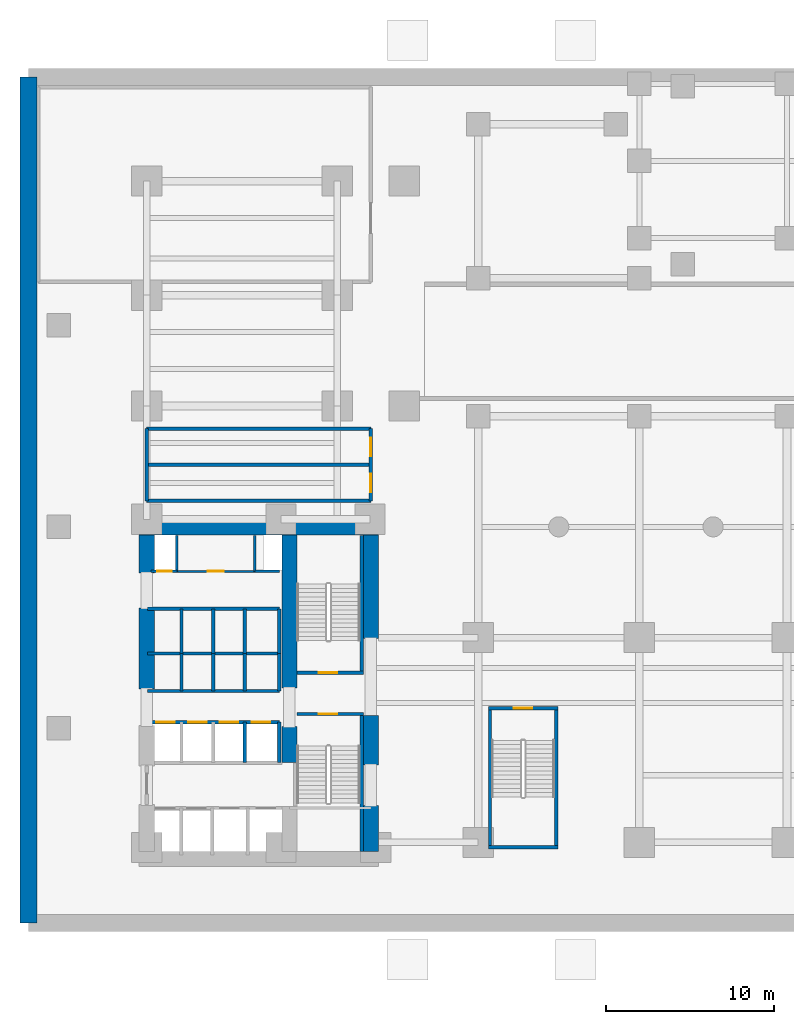
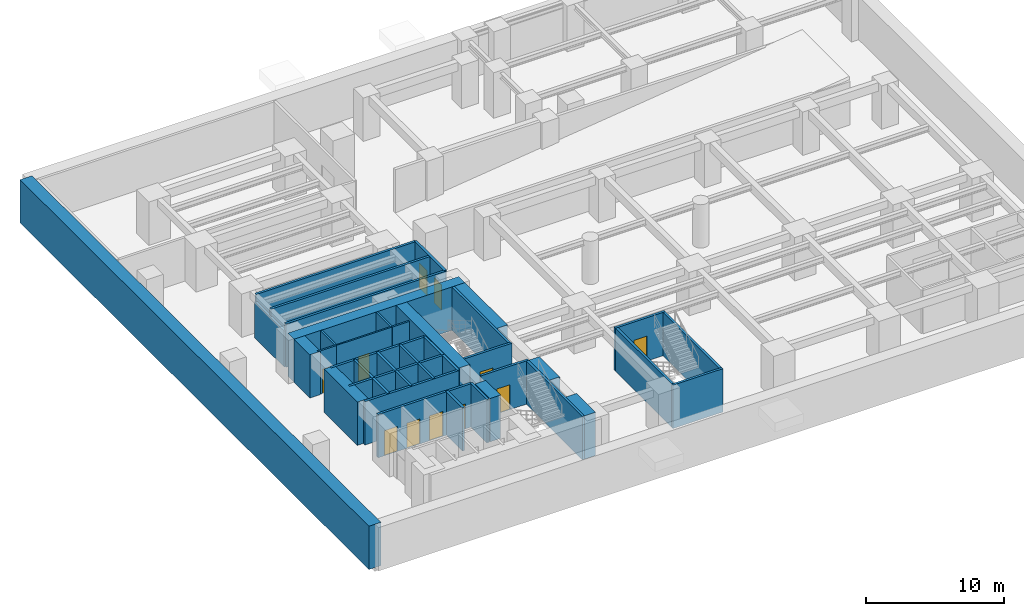
# One storey, part 3 of 5: 41 walls, 11 doors, 11 openings.
"""IFC4 building model written with IfcOpenShell, lengths in metres."""

import ifcopenshell
import ifcopenshell.guid

model = None  # the IFC model being written
_history = None  # IfcOwnerHistory: only IFC2X3 demands one
_inside = {}  # id of a spatial element -> (the spatial element, [elements in it])
_under = {}  # id of a project, library or spatial element -> (it, [spatial elements below it])
_declared = {}  # id of a project -> (the project, [libraries it declares])
_typed = {}  # id of a type object -> (the type object, [elements of that type])
_made_of = {}  # id of a material, layer set ... -> (it, [elements and type objects made of it])


def new_model(schema):
    """Start an empty IFC model of exactly this schema.

    Asked for "IFC4X3", IfcOpenShell would pick the latest addendum, in which some entities
    have other attributes; the version numbers below select the first issue.
    IFC2X3 requires an IfcOwnerHistory on every rooted entity: one is made here for all.
    """
    global model, _history
    if schema == "IFC4X3":
        model = ifcopenshell.file(schema_version=(4, 3, 0, 0))
    else:
        model = ifcopenshell.file(schema=schema)
    _inside.clear()
    _under.clear()
    _declared.clear()
    _typed.clear()
    _made_of.clear()
    _history = None
    if model.schema == "IFC2X3":
        org = make("IfcOrganization", Name="unknown")
        user = make(
            "IfcPersonAndOrganization",
            ThePerson=make("IfcPerson", FamilyName="unknown"),
            TheOrganization=org,
        )
        app = make(
            "IfcApplication",
            ApplicationDeveloper=org,
            Version="unknown",
            ApplicationFullName="unknown",
            ApplicationIdentifier="unknown",
        )
        _history = make(
            "IfcOwnerHistory",
            OwningUser=user,
            OwningApplication=app,
            ChangeAction="ADDED",
            CreationDate=0,
        )
    return model


def make(cls, **values):
    """One entity of the class cls with the attributes given. An attribute that is None is left unset."""
    return model.create_entity(
        cls, **{name: value for name, value in values.items() if value is not None}
    )


def rooted(cls, **values):
    """An entity with a GlobalId (a new one), such as an element, a storey or a relation."""
    return make(cls, GlobalId=ifcopenshell.guid.new(), OwnerHistory=_history, **values)


def si_unit(unit_type, name, prefix=None):
    """IfcSIUnit, for example si_unit("LENGTHUNIT", "METRE", prefix="MILLI")."""
    return make("IfcSIUnit", UnitType=unit_type, Prefix=prefix, Name=name)


def assignment(units):
    """IfcUnitAssignment: the units of a project."""
    return None if units is None else make("IfcUnitAssignment", Units=units)


def point(xyz):
    """IfcCartesianPoint."""
    return None if xyz is None else make("IfcCartesianPoint", Coordinates=xyz)


def direction(xyz):
    """IfcDirection."""
    return None if xyz is None else make("IfcDirection", DirectionRatios=xyz)


def frame(location, z_axis=None, x_axis=None):
    """IfcAxis2Placement3D, a coordinate frame: its origin and axes. An axis left out is left unset."""
    return make(
        "IfcAxis2Placement3D",
        Location=point(location),
        Axis=direction(z_axis),
        RefDirection=direction(x_axis),
    )


def frame_2d(location, x_axis=None):
    """IfcAxis2Placement2D, a coordinate frame in the plane: its origin and x axis."""
    return make(
        "IfcAxis2Placement2D", Location=point(location), RefDirection=direction(x_axis)
    )


def origin():
    """The frame at (0, 0, 0) with its axes left unset."""
    return frame((0.0, 0.0, 0.0))


def place(relative_to, where):
    """IfcLocalPlacement: puts the frame where relative to a parent placement (None: the world)."""
    return make(
        "IfcLocalPlacement", PlacementRelTo=relative_to, RelativePlacement=where
    )


def context(
    kind, dimensions, precision=None, world=None, true_north=None, identifier=None
):
    """IfcGeometricRepresentationContext, for example the 3D "Model" context."""
    return make(
        "IfcGeometricRepresentationContext",
        ContextIdentifier=identifier,
        ContextType=kind,
        CoordinateSpaceDimension=dimensions,
        Precision=precision,
        WorldCoordinateSystem=world,
        TrueNorth=true_north,
    )


def subcontext(parent, identifier, kind, view, scale=None):
    """IfcGeometricRepresentationSubContext, for example "Body" below "Model"."""
    return make(
        "IfcGeometricRepresentationSubContext",
        ContextIdentifier=identifier,
        ContextType=kind,
        ParentContext=parent,
        TargetScale=scale,
        TargetView=view,
    )


def project(units=None, contexts=None):
    """IfcProject with its units and contexts."""
    return rooted(
        "IfcProject",
        Name="project",
        RepresentationContexts=contexts,
        UnitsInContext=assignment(units),
    )


def spatial(cls, under=None, at=None, **own):
    """A site, building, storey or space (cls), placed at a placement, below another one or the project."""
    s = rooted(cls, ObjectPlacement=at, **own)
    if under is not None:
        _under.setdefault(under.id(), (under, []))[1].append(s)
    return s


def profile(cls, at=None, kind="AREA", **sizes):
    """A parametric profile (cls). Its sizes go by their IFC names, for example OverallWidth=200.0."""
    return make(cls, ProfileType=kind, Position=at, **sizes)


def rectangle(**sizes):
    """IfcRectangleProfileDef."""
    return profile("IfcRectangleProfileDef", **sizes)


def extrude(swept, where, along, depth):
    """IfcExtrudedAreaSolid: the profile swept, set in the frame where, extruded along a direction by depth."""
    return make(
        "IfcExtrudedAreaSolid",
        SweptArea=swept,
        Position=where,
        ExtrudedDirection=direction(along),
        Depth=depth,
    )


def shape(context_of_items, identifier, shape_type, items):
    """IfcShapeRepresentation: the items that make up one representation, for example the "Body"."""
    return make(
        "IfcShapeRepresentation",
        ContextOfItems=context_of_items,
        RepresentationIdentifier=identifier,
        RepresentationType=shape_type,
        Items=items,
    )


def material(Name=None, Category=None):
    """IfcMaterial."""
    return make("IfcMaterial", Name=Name, Category=Category)


def layer(
    of_material, thickness, ventilated=None, Name=None, Category=None, Priority=None
):
    """IfcMaterialLayer: one layer of a wall or slab, of a material (None: an air gap)."""
    return make(
        "IfcMaterialLayer",
        Material=of_material,
        LayerThickness=thickness,
        IsVentilated=ventilated,
        Name=Name,
        Category=Category,
        Priority=Priority,
    )


def layer_set(layers, Name=None):
    """IfcMaterialLayerSet."""
    return make("IfcMaterialLayerSet", MaterialLayers=layers, LayerSetName=Name)


def made_of(thing, what):
    """Note that an element or type object is made of a material, layer set ...; save() writes the relation."""
    if what is not None:
        _made_of.setdefault(what.id(), (what, []))[1].append(thing)
    return thing


def type_object(cls, material=None, **own):
    """A type object (cls), such as IfcWallType, which elements share."""
    return made_of(rooted(cls, **own), material)


def element(
    cls,
    number,
    at=None,
    inside=None,
    cuts=None,
    type_object=None,
    material=None,
    context=None,
    identifier="Body",
    shape_type=None,
    held_by="IfcProductDefinitionShape",
    body=None,
    shapes=None,
    **own,
):
    """One element of the class cls, such as IfcWall. Its Tag is "e" and its number.

    at: its placement. inside: the storey or other place that contains it. cuts: it is an
    opening in that element (IfcRelVoidsElement). A single representation is given by context,
    identifier, shape_type and body (its items); several are given by shapes. held_by: the class
    of the entity that holds the representations. save() writes the other relations.
    """
    e = rooted(cls, Tag="e%d" % number, ObjectPlacement=at, **own)
    if body is not None:
        shapes = [shape(context, identifier, shape_type, body)]
    if shapes is not None:
        e.Representation = make(held_by, Representations=shapes)
    if inside is not None:
        _inside.setdefault(inside.id(), (inside, []))[1].append(e)
    if cuts is not None:
        rooted(
            "IfcRelVoidsElement", RelatingBuildingElement=cuts, RelatedOpeningElement=e
        )
    if type_object is not None:
        _typed.setdefault(type_object.id(), (type_object, []))[1].append(e)
    return made_of(e, material)


def fill(opening, filler):
    """IfcRelFillsElement: the door or window that sits in an opening."""
    return rooted(
        "IfcRelFillsElement",
        RelatingOpeningElement=opening,
        RelatedBuildingElement=filler,
    )


def aggregate(whole, parts):
    """IfcRelAggregates: a whole, such as a stair, and the parts it consists of."""
    return rooted("IfcRelAggregates", RelatingObject=whole, RelatedObjects=parts)


def save(model, path):
    """Write the relations noted so far, then the file.

    IfcRelAggregates (storeys below a building ...), IfcRelContainedInSpatialStructure (elements
    in a storey), IfcRelDefinesByType, IfcRelAssociatesMaterial and IfcRelDeclares: one each for
    every whole, place, type object, material and project.
    """
    for whole, parts in _under.values():
        aggregate(whole, parts)
    for where, things in _inside.values():
        rooted(
            "IfcRelContainedInSpatialStructure",
            RelatedElements=things,
            RelatingStructure=where,
        )
    for kind, things in _typed.values():
        rooted("IfcRelDefinesByType", RelatedObjects=things, RelatingType=kind)
    for what, things in _made_of.values():
        rooted("IfcRelAssociatesMaterial", RelatedObjects=things, RelatingMaterial=what)
    for by, libraries in _declared.values():
        rooted("IfcRelDeclares", RelatingContext=by, RelatedDefinitions=libraries)
    model.write(path)


model = new_model("IFC4")

# Units and contexts
model_context = context("Model", 3, precision=1e-05, world=origin(), true_north=direction((0.0, 1.0)))
body_context = subcontext(model_context, "Body", "Model", "MODEL_VIEW")
ifc_project = project(units=[si_unit("LENGTHUNIT", "METRE"), si_unit("AREAUNIT", "SQUARE_METRE"), si_unit("VOLUMEUNIT", "CUBIC_METRE"), si_unit("PLANEANGLEUNIT", "RADIAN"), si_unit("MASSUNIT", "GRAM", prefix="KILO")], contexts=[model_context])

# Site, building, storey
site_placement = place(None, origin())
site = spatial("IfcSite", under=ifc_project, at=site_placement, CompositionType="ELEMENT")
building_placement = place(site_placement, origin())
building = spatial("IfcBuilding", under=site, at=building_placement, Name="Kolvaren Waterfront Exchange", CompositionType="ELEMENT")
storey_placement = place(building_placement, frame((0.0, 0.0, -4.199951171875)))
storey = spatial("IfcBuildingStorey", under=building, at=storey_placement, Name="B01", CompositionType="ELEMENT", Elevation=-4.199951171875)

# Wall, opening, door
ifc_material_1 = material(Name="Precast concrete C40/50", Category="concrete")
ifc_layer_1 = layer(ifc_material_1, 0.199951171875, Name="Precast concrete C40/50")
ifc_layer_set_1 = layer_set([ifc_layer_1], Name="Precast concrete C40/50")
wall_type_1 = type_object("IfcWallType", Name="ARC-FIRE-200", PredefinedType="PARTITIONING", material=ifc_layer_set_1)
wall_1_placement = place(storey_placement, frame((16.39990234375, 12.85009765625, 0.0), z_axis=(0.0, 0.0, 1.0), x_axis=(1.0, 0.0, 0.0)))
wall_1 = element("IfcWall", 1, at=wall_1_placement, inside=storey, type_object=wall_type_1, Name="B01 interior wall PW-B01-ST1-THROAT-S", PredefinedType="PARTITIONING", context=body_context, shape_type="SweptSolid", body=[
    extrude(rectangle(XDim=3.960205078125, YDim=0.199951171875, at=frame_2d((1.97998046875, 0.0))), origin(), (0.0, 0.0, 1.0), 3.820068359375),
])
opening_1_placement = place(wall_1_placement, frame((1.3037109375, 0.0, 0.0)))
opening_1 = element("IfcOpeningElement", 2, at=opening_1_placement, cuts=wall_1, Name="Opening FD2", PredefinedType="OPENING", context=body_context, shape_type="SweptSolid", body=[
    extrude(rectangle(XDim=1.10009765625, YDim=2.199951171875, at=frame_2d((0.550048828125, 1.10009765625))), frame((0.0, 0.10986328125, 0.0), z_axis=(0.0, -1.0, 0.0), x_axis=(1.0, 0.0, 0.0)), (0.0, 0.0, 1.0), 0.219970703125),
])
ifc_material_2 = material(Name="Pressed steel smoke-seal fire door", Category="steel")
door_type_1 = type_object("IfcDoorType", Name="ARC-FD-1100", OperationType="NOTDEFINED", PredefinedType="DOOR", material=ifc_material_2)
door_1_placement = place(opening_1_placement, frame((1.10009765625, 0.0, 0.0), z_axis=(0.0, 0.0, 1.0), x_axis=(-1.0, 0.0, 0.0)))
door_1 = element("IfcDoor", 3, at=door_1_placement, inside=storey, type_object=door_type_1, Name="B01 door DR-B01-ST1-IN (FD2)", OperationType="SINGLE_SWING_LEFT", OverallHeight=2.199951171875, OverallWidth=1.10009765625, PredefinedType="DOOR", context=body_context, shape_type="SweptSolid", body=[
    extrude(rectangle(XDim=1.10009765625, YDim=2.199951171875, at=frame_2d((0.550048828125, 1.10009765625))), frame((0.0, 0.02490234375, 0.0), z_axis=(0.0, -1.0, 0.0), x_axis=(1.0, 0.0, 0.0)), (0.0, 0.0, 1.0), 0.050048828125),
])
fill(opening_1, door_1)

wall_2_placement = place(storey_placement, frame((16.409912109375, 15.300048828125, 0.0), z_axis=(0.0, 0.0, 1.0), x_axis=(1.0, 0.0, 0.0)))
wall_2 = element("IfcWall", 4, at=wall_2_placement, inside=storey, type_object=wall_type_1, Name="B01 interior wall PW-B01-ST2-THROAT-N", PredefinedType="PARTITIONING", context=body_context, shape_type="SweptSolid", body=[
    extrude(rectangle(XDim=3.9501953125, YDim=0.199951171875, at=frame_2d((1.97509765625, 0.0))), origin(), (0.0, 0.0, 1.0), 3.820068359375),
])
opening_2_placement = place(wall_2_placement, frame((1.293701171875, 0.0, 0.0)))
opening_2 = element("IfcOpeningElement", 5, at=opening_2_placement, cuts=wall_2, Name="Opening FD2", PredefinedType="OPENING", context=body_context, shape_type="SweptSolid", body=[
    extrude(rectangle(XDim=1.10009765625, YDim=2.199951171875, at=frame_2d((0.550048828125, 1.10009765625))), frame((0.0, 0.10986328125, 0.0), z_axis=(0.0, -1.0, 0.0), x_axis=(1.0, 0.0, 0.0)), (0.0, 0.0, 1.0), 0.219970703125),
])
door_2_placement = place(opening_2_placement, origin())
door_2 = element("IfcDoor", 6, at=door_2_placement, inside=storey, type_object=door_type_1, Name="B01 door DR-B01-ST2-IN (FD2)", OperationType="SINGLE_SWING_RIGHT", OverallHeight=2.199951171875, OverallWidth=1.10009765625, PredefinedType="DOOR", context=body_context, shape_type="SweptSolid", body=[
    extrude(rectangle(XDim=1.10009765625, YDim=2.199951171875, at=frame_2d((0.550048828125, 1.10009765625))), frame((0.0, 0.02490234375, 0.0), z_axis=(0.0, -1.0, 0.0), x_axis=(1.0, 0.0, 0.0)), (0.0, 0.0, 1.0), 0.050048828125),
])
fill(opening_2, door_2)

# Wall, openings, doors
wall_3_placement = place(storey_placement, frame((20.800048828125, 25.550048828125, 0.0), z_axis=(0.0, 0.0, 1.0), x_axis=(0.0, 1.0, 0.0)))
wall_3 = element("IfcWall", 7, at=wall_3_placement, inside=storey, type_object=wall_type_1, Name="B01 interior wall PW-B01-BPLANT-E", PredefinedType="PARTITIONING", context=body_context, shape_type="SweptSolid", body=[
    extrude(rectangle(XDim=4.300048828125, YDim=0.199951171875, at=frame_2d((2.14990234375, 0.0))), origin(), (0.0, 0.0, 1.0), 3.820068359375),
])
opening_3_placement = place(wall_3_placement, frame((0.52490234375, 0.0, 0.0)))
opening_3 = element("IfcOpeningElement", 8, at=opening_3_placement, cuts=wall_3, Name="Opening FD2", PredefinedType="OPENING", context=body_context, shape_type="SweptSolid", body=[
    extrude(rectangle(XDim=1.10009765625, YDim=2.199951171875, at=frame_2d((0.550048828125, 1.10009765625))), frame((0.0, 0.10986328125, 0.0), z_axis=(0.0, -1.0, 0.0), x_axis=(1.0, 0.0, 0.0)), (0.0, 0.0, 1.0), 0.219970703125),
])
opening_4_placement = place(wall_3_placement, frame((2.64990234375, 0.0, 0.0)))
opening_4 = element("IfcOpeningElement", 9, at=opening_4_placement, cuts=wall_3, Name="Opening FD2", PredefinedType="OPENING", context=body_context, shape_type="SweptSolid", body=[
    extrude(rectangle(XDim=1.10009765625, YDim=2.199951171875, at=frame_2d((0.550048828125, 1.10009765625))), frame((0.0, 0.10986328125, 0.0), z_axis=(0.0, -1.0, 0.0), x_axis=(1.0, 0.0, 0.0)), (0.0, 0.0, 1.0), 0.219970703125),
])
door_3_placement = place(opening_3_placement, frame((1.10009765625, 0.0, 0.0), z_axis=(0.0, 0.0, 1.0), x_axis=(-1.0, 0.0, 0.0)))
door_3 = element("IfcDoor", 10, at=door_3_placement, inside=storey, type_object=door_type_1, Name="B01 door DR-B01-BP-D1 (FD2)", OperationType="SINGLE_SWING_RIGHT", OverallHeight=2.199951171875, OverallWidth=1.10009765625, PredefinedType="DOOR", context=body_context, shape_type="SweptSolid", body=[
    extrude(rectangle(XDim=1.10009765625, YDim=2.199951171875, at=frame_2d((0.550048828125, 1.10009765625))), frame((0.0, 0.02490234375, 0.0), z_axis=(0.0, -1.0, 0.0), x_axis=(1.0, 0.0, 0.0)), (0.0, 0.0, 1.0), 0.050048828125),
])
fill(opening_3, door_3)
door_4_placement = place(opening_4_placement, frame((1.10009765625, 0.0, 0.0), z_axis=(0.0, 0.0, 1.0), x_axis=(-1.0, 0.0, 0.0)))
door_4 = element("IfcDoor", 11, at=door_4_placement, inside=storey, type_object=door_type_1, Name="B01 door DR-B01-BP-D2 (FD2)", OperationType="SINGLE_SWING_LEFT", OverallHeight=2.199951171875, OverallWidth=1.10009765625, PredefinedType="DOOR", context=body_context, shape_type="SweptSolid", body=[
    extrude(rectangle(XDim=1.10009765625, YDim=2.199951171875, at=frame_2d((0.550048828125, 1.10009765625))), frame((0.0, 0.02490234375, 0.0), z_axis=(0.0, -1.0, 0.0), x_axis=(1.0, 0.0, 0.0)), (0.0, 0.0, 1.0), 0.050048828125),
])
fill(opening_4, door_4)

# Walls
for number, where, z_axis, x_axis, name in (
    (12, (7.449951171875, 25.550048828125, 0.0), (0.0, 0.0, 1.0), (1.0, 0.0, 0.0), "B01 interior wall PW-B01-BPLANT-S"),
    (13, (7.449951171875, 29.85009765625, 0.0), (0.0, 0.0, 1.0), (1.0, 0.0, 0.0), "B01 interior wall PW-B01-BPLANT-N"),
):
    element("IfcWall", number, at=place(storey_placement, frame(where, z_axis=z_axis, x_axis=x_axis)), inside=storey, type_object=wall_type_1, Name=name, PredefinedType="PARTITIONING", context=body_context, shape_type="SweptSolid", body=[
        extrude(rectangle(XDim=13.35009765625, YDim=0.199951171875, at=frame_2d((6.675048828125, 0.0))), origin(), (0.0, 0.0, 1.0), 3.820068359375),
    ])
wall_4_placement = place(storey_placement, frame((7.449951171875, 25.550048828125, 0.0), z_axis=(0.0, 0.0, 1.0), x_axis=(0.0, 1.0, 0.0)))
element("IfcWall", 14, at=wall_4_placement, inside=storey, type_object=wall_type_1, Name="B01 interior wall PW-B01-BPLANT-W", PredefinedType="PARTITIONING", context=body_context, shape_type="SweptSolid", body=[
    extrude(rectangle(XDim=4.300048828125, YDim=0.199951171875, at=frame_2d((2.14990234375, 0.0))), origin(), (0.0, 0.0, 1.0), 3.169921875),
])
wall_5_placement = place(storey_placement, frame((7.449951171875, 27.699951171875, 0.0), z_axis=(0.0, 0.0, 1.0), x_axis=(1.0, 0.0, 0.0)))
element("IfcWall", 15, at=wall_5_placement, inside=storey, type_object=wall_type_1, Name="B01 interior wall PW-B01-BPLANT-MID", PredefinedType="PARTITIONING", context=body_context, shape_type="SweptSolid", body=[
    extrude(rectangle(XDim=13.35009765625, YDim=0.199951171875, at=frame_2d((6.675048828125, 0.0))), origin(), (0.0, 0.0, 1.0), 3.820068359375),
])

# Wall, opening, door
ifc_material_3 = material(Name="Acoustic gypsum steel stud", Category="steel")
ifc_layer_2 = layer(ifc_material_3, 0.125, Name="Acoustic gypsum steel stud")
ifc_layer_set_2 = layer_set([ifc_layer_2], Name="Acoustic gypsum steel stud")
wall_type_2 = type_object("IfcWallType", Name="ARC-PART-125", PredefinedType="PARTITIONING", material=ifc_layer_set_2)
wall_6_placement = place(storey_placement, frame((9.25, 21.35009765625, 0.0), z_axis=(0.0, 0.0, 1.0), x_axis=(1.0, 0.0, 0.0)))
wall_6 = element("IfcWall", 16, at=wall_6_placement, inside=storey, type_object=wall_type_2, Name="B01 interior wall PW-B01-SVC-EX-S", PredefinedType="PARTITIONING", context=body_context, shape_type="SweptSolid", body=[
    extrude(rectangle(XDim=4.64990234375, YDim=0.125, at=frame_2d((2.324951171875, 0.0))), origin(), (0.0, 0.0, 1.0), 3.820068359375),
])
opening_5_placement = place(wall_6_placement, frame((1.85009765625, 0.0, 0.0)))
opening_5 = element("IfcOpeningElement", 17, at=opening_5_placement, cuts=wall_6, Name="Opening D02", PredefinedType="OPENING", context=body_context, shape_type="SweptSolid", body=[
    extrude(rectangle(XDim=0.949951171875, YDim=2.14990234375, at=frame_2d((0.47509765625, 1.074951171875))), frame((0.0, 0.072509765625, 0.0), z_axis=(0.0, -1.0, 0.0), x_axis=(1.0, 0.0, 0.0)), (0.0, 0.0, 1.0), 0.14501953125),
])
ifc_material_4 = material(Name="Oak veneer acoustic timber", Category="wood")
door_type_2 = type_object("IfcDoorType", Name="ARC-DR-950", OperationType="NOTDEFINED", PredefinedType="DOOR", material=ifc_material_4)
door_5_placement = place(opening_5_placement, origin())
door_5 = element("IfcDoor", 18, at=door_5_placement, inside=storey, type_object=door_type_2, Name="B01 door DR-B01-SVC-DR-1 (D02)", OperationType="SINGLE_SWING_RIGHT", OverallHeight=2.14990234375, OverallWidth=0.949951171875, PredefinedType="DOOR", context=body_context, shape_type="SweptSolid", body=[
    extrude(rectangle(XDim=0.949951171875, YDim=2.14990234375, at=frame_2d((0.47509765625, 1.074951171875))), frame((0.0, 0.02490234375, 0.0), z_axis=(0.0, -1.0, 0.0), x_axis=(1.0, 0.0, 0.0)), (0.0, 0.0, 1.0), 0.050048828125),
])
fill(opening_5, door_5)

# Walls
ifc_material_5 = material(Name="Gypsum fireboard steel stud", Category="steel")
ifc_layer_3 = layer(ifc_material_5, 0.14990234375, Name="Gypsum fireboard steel stud")
ifc_layer_set_3 = layer_set([ifc_layer_3], Name="Gypsum fireboard steel stud")
wall_type_3 = type_object("IfcWallType", Name="ARC-PART-150", PredefinedType="PARTITIONING", material=ifc_layer_set_3)
for number, where, z_axis, x_axis, name in (
    (19, (9.25, 21.35009765625, 0.0), (0.0, 0.0, 1.0), (0.0, 1.0, 0.0), "B01 interior wall PW-B01-SVC-R1"),
    (20, (13.89990234375, 21.35009765625, 0.0), (0.0, 0.0, 1.0), (0.0, 1.0, 0.0), "B01 interior wall PW-B01-SVC-R2"),
):
    element("IfcWall", number, at=place(storey_placement, frame(where, z_axis=z_axis, x_axis=x_axis)), inside=storey, type_object=wall_type_3, Name=name, PredefinedType="PARTITIONING", context=body_context, shape_type="SweptSolid", body=[
        extrude(rectangle(XDim=2.1298828125, YDim=0.14990234375, at=frame_2d((1.06494140625, 0.0))), origin(), (0.0, 0.0, 1.0), 3.820068359375),
    ])

# Wall, opening, door
wall_7_placement = place(storey_placement, frame((7.699951171875, 21.35009765625, 0.0), z_axis=(0.0, 0.0, 1.0), x_axis=(1.0, 0.0, 0.0)))
wall_7 = element("IfcWall", 21, at=wall_7_placement, inside=storey, type_object=wall_type_3, Name="B01 interior wall PW-B01-SVC-RE-S", PredefinedType="PARTITIONING", context=body_context, shape_type="SweptSolid", body=[
    extrude(rectangle(XDim=1.550048828125, YDim=0.14990234375, at=frame_2d((0.77490234375, 0.0))), origin(), (0.0, 0.0, 1.0), 3.820068359375),
])
opening_6_placement = place(wall_7_placement, frame((0.389892578125, 0.0, 0.0)))
opening_6 = element("IfcOpeningElement", 22, at=opening_6_placement, cuts=wall_7, Name="Opening FD1", PredefinedType="OPENING", context=body_context, shape_type="SweptSolid", body=[
    extrude(rectangle(XDim=0.85009765625, YDim=2.14990234375, at=frame_2d((0.425048828125, 1.074951171875))), frame((0.0, 0.0849609375, 0.0), z_axis=(0.0, -1.0, 0.0), x_axis=(1.0, 0.0, 0.0)), (0.0, 0.0, 1.0), 0.169921875),
])
ifc_material_6 = material(Name="Pressed steel fire leaf", Category="steel")
door_type_3 = type_object("IfcDoorType", Name="ARC-FD-900", OperationType="NOTDEFINED", PredefinedType="DOOR", material=ifc_material_6)
door_6_placement = place(opening_6_placement, origin())
door_6 = element("IfcDoor", 23, at=door_6_placement, inside=storey, type_object=door_type_3, Name="B01 door DR-B01-RISER-E-DR (FD1)", OperationType="SINGLE_SWING_LEFT", OverallHeight=2.14990234375, OverallWidth=0.85009765625, PredefinedType="DOOR", context=body_context, shape_type="SweptSolid", body=[
    extrude(rectangle(XDim=0.85009765625, YDim=2.14990234375, at=frame_2d((0.425048828125, 1.074951171875))), frame((0.0, 0.02490234375, 0.0), z_axis=(0.0, -1.0, 0.0), x_axis=(1.0, 0.0, 0.0)), (0.0, 0.0, 1.0), 0.050048828125),
])
fill(opening_6, door_6)

# Walls
wall_8_placement = place(storey_placement, frame((13.89990234375, 21.35009765625, 0.0), z_axis=(0.0, 0.0, 1.0), x_axis=(1.0, 0.0, 0.0)))
element("IfcWall", 24, at=wall_8_placement, inside=storey, type_object=wall_type_3, Name="B01 interior wall PW-B01-SVC-RP-S", PredefinedType="PARTITIONING", context=body_context, shape_type="SweptSolid", body=[
    extrude(rectangle(XDim=1.4501953125, YDim=0.14990234375, at=frame_2d((0.72509765625, 0.0))), origin(), (0.0, 0.0, 1.0), 3.820068359375),
])
ifc_material_7 = material(Name="Concrete C40/50", Category="concrete")
ifc_layer_4 = layer(ifc_material_7, 0.199951171875, Name="Concrete C40/50")
ifc_layer_set_4 = layer_set([ifc_layer_4], Name="Concrete C40/50")
wall_type_4 = type_object("IfcWallType", Name="ARC-SHAFT-200", PredefinedType="PARTITIONING", material=ifc_layer_set_4)
for number, where, z_axis, x_axis, name in (
    (25, (20.260009765625, 4.659912109375, 0.0), (0.0, 0.0, 1.0), (0.0, 1.0, 0.0), "B01 structural stairwell wall PW-B01-ST1-E"),
    (26, (20.260009765625, 15.39990234375, 0.0), (0.0, 0.0, 1.0), (0.0, 1.0, 0.0), "B01 structural stairwell wall PW-B01-ST2-E"),
):
    element("IfcWall", number, at=place(storey_placement, frame(where, z_axis=z_axis, x_axis=x_axis)), inside=storey, type_object=wall_type_4, Name=name, PredefinedType="SHEAR", context=body_context, shape_type="SweptSolid", body=[
        extrude(rectangle(XDim=8.090087890625, YDim=0.199951171875, at=frame_2d((4.044921875, 0.0))), origin(), (0.0, 0.0, 1.0), 3.820068359375),
    ])
for number, where, z_axis, x_axis, name in (
    (27, (27.89990234375, 5.0, 0.0), (0.0, 0.0, 1.0), (0.0, 1.0, 0.0), "B01 structural stairwell wall PW-B01-ST3-W"),
    (28, (31.860107421875, 5.0, 0.0), (0.0, 0.0, 1.0), (0.0, 1.0, 0.0), "B01 structural stairwell wall PW-B01-ST3-E"),
):
    element("IfcWall", number, at=place(storey_placement, frame(where, z_axis=z_axis, x_axis=x_axis)), inside=storey, type_object=wall_type_4, Name=name, PredefinedType="SHEAR", context=body_context, shape_type="SweptSolid", body=[
        extrude(rectangle(XDim=8.10009765625, YDim=0.199951171875, at=frame_2d((4.050048828125, 0.0))), origin(), (0.0, 0.0, 1.0), 3.820068359375),
    ])
wall_9_placement = place(storey_placement, frame((27.800048828125, 4.89990234375, 0.0), z_axis=(0.0, 0.0, 1.0), x_axis=(1.0, 0.0, 0.0)))
element("IfcWall", 29, at=wall_9_placement, inside=storey, type_object=wall_type_4, Name="B01 structural stairwell wall PW-B01-ST3-S", PredefinedType="SHEAR", context=body_context, shape_type="SweptSolid", body=[
    extrude(rectangle(XDim=4.159912109375, YDim=0.199951171875, at=frame_2d((2.080078125, 0.0))), origin(), (0.0, 0.0, 1.0), 3.820068359375),
])

# Wall, opening, door
wall_10_placement = place(storey_placement, frame((27.800048828125, 13.199951171875, 0.0), z_axis=(0.0, 0.0, 1.0), x_axis=(1.0, 0.0, 0.0)))
wall_10 = element("IfcWall", 30, at=wall_10_placement, inside=storey, type_object=wall_type_4, Name="B01 structural stairwell wall PW-B01-ST3-N", PredefinedType="SHEAR", context=body_context, shape_type="SweptSolid", body=[
    extrude(rectangle(XDim=4.159912109375, YDim=0.199951171875, at=frame_2d((2.080078125, 0.0))), origin(), (0.0, 0.0, 1.0), 3.820068359375),
])
opening_7_placement = place(wall_10_placement, frame((1.530029296875, 0.0, 0.0)))
opening_7 = element("IfcOpeningElement", 31, at=opening_7_placement, cuts=wall_10, Name="Opening FD2", PredefinedType="OPENING", context=body_context, shape_type="SweptSolid", body=[
    extrude(rectangle(XDim=1.10009765625, YDim=2.199951171875, at=frame_2d((0.550048828125, 1.10009765625))), frame((0.0, 0.10986328125, 0.0), z_axis=(0.0, -1.0, 0.0), x_axis=(1.0, 0.0, 0.0)), (0.0, 0.0, 1.0), 0.219970703125),
])
door_7_placement = place(opening_7_placement, frame((1.10009765625, 0.0, 0.0), z_axis=(0.0, 0.0, 1.0), x_axis=(-1.0, 0.0, 0.0)))
door_7 = element("IfcDoor", 32, at=door_7_placement, inside=storey, type_object=door_type_1, Name="B01 door DR-B01-ST3-IN (FD2)", OperationType="SINGLE_SWING_LEFT", OverallHeight=2.199951171875, OverallWidth=1.10009765625, PredefinedType="DOOR", context=body_context, shape_type="SweptSolid", body=[
    extrude(rectangle(XDim=1.10009765625, YDim=2.199951171875, at=frame_2d((0.550048828125, 1.10009765625))), frame((0.0, 0.02490234375, 0.0), z_axis=(0.0, -1.0, 0.0), x_axis=(1.0, 0.0, 0.0)), (0.0, 0.0, 1.0), 0.050048828125),
])
fill(opening_7, door_7)

# Wall, openings, doors
wall_11_placement = place(storey_placement, frame((7.5, 12.360107421875, 0.0), z_axis=(0.0, 0.0, 1.0), x_axis=(1.0, 0.0, 0.0)))
wall_11 = element("IfcWall", 33, at=wall_11_placement, inside=storey, type_object=wall_type_4, Name="B01 interior wall PW-B01-PL-N", PredefinedType="PARTITIONING", context=body_context, shape_type="SweptSolid", body=[
    extrude(rectangle(XDim=7.85009765625, YDim=0.199951171875, at=frame_2d((3.925048828125, 0.0))), origin(), (0.0, 0.0, 1.0), 3.820068359375),
])
opening_8_placement = place(wall_11_placement, frame((0.530029296875, 0.0, 0.0)))
opening_8 = element("IfcOpeningElement", 34, at=opening_8_placement, cuts=wall_11, Name="Opening LD2", PredefinedType="OPENING", context=body_context, shape_type="SweptSolid", body=[
    extrude(rectangle(XDim=1.10009765625, YDim=2.199951171875, at=frame_2d((0.550048828125, 1.10009765625))), frame((0.0, 0.10986328125, 0.0), z_axis=(0.0, -1.0, 0.0), x_axis=(1.0, 0.0, 0.0)), (0.0, 0.0, 1.0), 0.219970703125),
])
opening_9_placement = place(wall_11_placement, frame((2.419921875, 0.0, 0.0)))
opening_9 = element("IfcOpeningElement", 35, at=opening_9_placement, cuts=wall_11, Name="Opening LD2", PredefinedType="OPENING", context=body_context, shape_type="SweptSolid", body=[
    extrude(rectangle(XDim=1.10009765625, YDim=2.199951171875, at=frame_2d((0.550048828125, 1.10009765625))), frame((0.0, 0.10986328125, 0.0), z_axis=(0.0, -1.0, 0.0), x_axis=(1.0, 0.0, 0.0)), (0.0, 0.0, 1.0), 0.219970703125),
])
opening_10_placement = place(wall_11_placement, frame((4.31005859375, 0.0, 0.0)))
opening_10 = element("IfcOpeningElement", 36, at=opening_10_placement, cuts=wall_11, Name="Opening LD2", PredefinedType="OPENING", context=body_context, shape_type="SweptSolid", body=[
    extrude(rectangle(XDim=1.10009765625, YDim=2.199951171875, at=frame_2d((0.550048828125, 1.10009765625))), frame((0.0, 0.10986328125, 0.0), z_axis=(0.0, -1.0, 0.0), x_axis=(1.0, 0.0, 0.0)), (0.0, 0.0, 1.0), 0.219970703125),
])
opening_11_placement = place(wall_11_placement, frame((6.199951171875, 0.0, 0.0)))
opening_11 = element("IfcOpeningElement", 37, at=opening_11_placement, cuts=wall_11, Name="Opening LD2", PredefinedType="OPENING", context=body_context, shape_type="SweptSolid", body=[
    extrude(rectangle(XDim=1.10009765625, YDim=2.199951171875, at=frame_2d((0.550048828125, 1.10009765625))), frame((0.0, 0.10986328125, 0.0), z_axis=(0.0, -1.0, 0.0), x_axis=(1.0, 0.0, 0.0)), (0.0, 0.0, 1.0), 0.219970703125),
])
ifc_material_8 = material(Name="Brushed bronze sliding landing door", Category="aluminium")
door_type_4 = type_object("IfcDoorType", Name="ARC-LD-PAX", OperationType="SLIDING_TO_LEFT", PredefinedType="DOOR", material=ifc_material_8)
door_8_placement = place(opening_8_placement, origin())
door_8 = element("IfcDoor", 38, at=door_8_placement, inside=storey, type_object=door_type_4, Name="B01 door LD-B01-PL1 (LD2)", OperationType="SLIDING_TO_LEFT", OverallHeight=2.199951171875, OverallWidth=1.10009765625, PredefinedType="DOOR", context=body_context, shape_type="SweptSolid", body=[
    extrude(rectangle(XDim=1.10009765625, YDim=2.199951171875, at=frame_2d((0.550048828125, 1.10009765625))), frame((0.0, 0.02490234375, 0.0), z_axis=(0.0, -1.0, 0.0), x_axis=(1.0, 0.0, 0.0)), (0.0, 0.0, 1.0), 0.050048828125),
])
fill(opening_8, door_8)
door_9_placement = place(opening_9_placement, origin())
door_9 = element("IfcDoor", 39, at=door_9_placement, inside=storey, type_object=door_type_4, Name="B01 door LD-B01-PL2 (LD2)", OperationType="SLIDING_TO_LEFT", OverallHeight=2.199951171875, OverallWidth=1.10009765625, PredefinedType="DOOR", context=body_context, shape_type="SweptSolid", body=[
    extrude(rectangle(XDim=1.10009765625, YDim=2.199951171875, at=frame_2d((0.550048828125, 1.10009765625))), frame((0.0, 0.02490234375, 0.0), z_axis=(0.0, -1.0, 0.0), x_axis=(1.0, 0.0, 0.0)), (0.0, 0.0, 1.0), 0.050048828125),
])
fill(opening_9, door_9)
door_10_placement = place(opening_10_placement, origin())
door_10 = element("IfcDoor", 40, at=door_10_placement, inside=storey, type_object=door_type_4, Name="B01 door LD-B01-PL3 (LD2)", OperationType="SLIDING_TO_LEFT", OverallHeight=2.199951171875, OverallWidth=1.10009765625, PredefinedType="DOOR", context=body_context, shape_type="SweptSolid", body=[
    extrude(rectangle(XDim=1.10009765625, YDim=2.199951171875, at=frame_2d((0.550048828125, 1.10009765625))), frame((0.0, 0.02490234375, 0.0), z_axis=(0.0, -1.0, 0.0), x_axis=(1.0, 0.0, 0.0)), (0.0, 0.0, 1.0), 0.050048828125),
])
fill(opening_10, door_10)
door_11_placement = place(opening_11_placement, origin())
door_11 = element("IfcDoor", 41, at=door_11_placement, inside=storey, type_object=door_type_4, Name="B01 door LD-B01-PL4 (LD2)", OperationType="SLIDING_TO_LEFT", OverallHeight=2.199951171875, OverallWidth=1.10009765625, PredefinedType="DOOR", context=body_context, shape_type="SweptSolid", body=[
    extrude(rectangle(XDim=1.10009765625, YDim=2.199951171875, at=frame_2d((0.550048828125, 1.10009765625))), frame((0.0, 0.02490234375, 0.0), z_axis=(0.0, -1.0, 0.0), x_axis=(1.0, 0.0, 0.0)), (0.0, 0.0, 1.0), 0.050048828125),
])
fill(opening_11, door_11)

# Walls
for number, where, z_axis, x_axis, name in (
    (42, (15.35009765625, 9.949951171875, 0.0), (0.0, 0.0, 1.0), (0.0, 1.0, 0.0), "B01 interior wall PW-B01-PL-E"),
    (43, (13.300048828125, 9.949951171875, 0.0), (0.0, 0.0, 1.0), (0.0, 1.0, 0.0), "B01 interior wall PW-B01-SH2-DIV-133"),
):
    element("IfcWall", number, at=place(storey_placement, frame(where, z_axis=z_axis, x_axis=x_axis)), inside=storey, type_object=wall_type_4, Name=name, PredefinedType="PARTITIONING", context=body_context, shape_type="SweptSolid", body=[
        extrude(rectangle(XDim=2.41015625, YDim=0.199951171875, at=frame_2d((1.205078125, 0.0))), origin(), (0.0, 0.0, 1.0), 3.820068359375),
    ])
for number, where, z_axis, x_axis, name in (
    (44, (7.5, 14.219970703125, 0.0), (0.0, 0.0, 1.0), (1.0, 0.0, 0.0), "B01 interior wall PW-B01-PM-S"),
    (45, (7.5, 16.449951171875, 0.0), (0.0, 0.0, 1.0), (1.0, 0.0, 0.0), "B01 interior wall PW-B01-PM-N"),
):
    element("IfcWall", number, at=place(storey_placement, frame(where, z_axis=z_axis, x_axis=x_axis)), inside=storey, type_object=wall_type_4, Name=name, PredefinedType="PARTITIONING", context=body_context, shape_type="SweptSolid", body=[
        extrude(rectangle(XDim=7.85009765625, YDim=0.199951171875, at=frame_2d((3.925048828125, 0.0))), origin(), (0.0, 0.0, 1.0), 3.820068359375),
    ])
for number, where, z_axis, x_axis, name in (
    (46, (15.35009765625, 14.219970703125, 0.0), (0.0, 0.0, 1.0), (0.0, 1.0, 0.0), "B01 interior wall PW-B01-PM-E"),
    (47, (9.52001953125, 14.219970703125, 0.0), (0.0, 0.0, 1.0), (0.0, 1.0, 0.0), "B01 interior wall PW-B01-SH3-DIV-95"),
    (48, (11.409912109375, 14.219970703125, 0.0), (0.0, 0.0, 1.0), (0.0, 1.0, 0.0), "B01 interior wall PW-B01-SH3-DIV-114"),
    (49, (13.300048828125, 14.219970703125, 0.0), (0.0, 0.0, 1.0), (0.0, 1.0, 0.0), "B01 interior wall PW-B01-SH3-DIV-133"),
):
    element("IfcWall", number, at=place(storey_placement, frame(where, z_axis=z_axis, x_axis=x_axis)), inside=storey, type_object=wall_type_4, Name=name, PredefinedType="PARTITIONING", context=body_context, shape_type="SweptSolid", body=[
        extrude(rectangle(XDim=2.22998046875, YDim=0.199951171875, at=frame_2d((1.114990234375, 0.0))), origin(), (0.0, 0.0, 1.0), 3.820068359375),
    ])
wall_12_placement = place(storey_placement, frame((7.5, 19.1201171875, 0.0), z_axis=(0.0, 0.0, 1.0), x_axis=(1.0, 0.0, 0.0)))
element("IfcWall", 50, at=wall_12_placement, inside=storey, type_object=wall_type_4, Name="B01 interior wall PW-B01-PH-N", PredefinedType="PARTITIONING", context=body_context, shape_type="SweptSolid", body=[
    extrude(rectangle(XDim=7.85009765625, YDim=0.199951171875, at=frame_2d((3.925048828125, 0.0))), origin(), (0.0, 0.0, 1.0), 3.820068359375),
])
for number, where, z_axis, x_axis, name in (
    (51, (15.35009765625, 16.449951171875, 0.0), (0.0, 0.0, 1.0), (0.0, 1.0, 0.0), "B01 interior wall PW-B01-PH-E"),
    (52, (9.52001953125, 16.449951171875, 0.0), (0.0, 0.0, 1.0), (0.0, 1.0, 0.0), "B01 interior wall PW-B01-SH4-DIV-95"),
    (53, (11.409912109375, 16.449951171875, 0.0), (0.0, 0.0, 1.0), (0.0, 1.0, 0.0), "B01 interior wall PW-B01-SH4-DIV-114"),
    (54, (13.300048828125, 16.449951171875, 0.0), (0.0, 0.0, 1.0), (0.0, 1.0, 0.0), "B01 interior wall PW-B01-SH4-DIV-133"),
):
    element("IfcWall", number, at=place(storey_placement, frame(where, z_axis=z_axis, x_axis=x_axis)), inside=storey, type_object=wall_type_4, Name=name, PredefinedType="PARTITIONING", context=body_context, shape_type="SweptSolid", body=[
        extrude(rectangle(XDim=2.670166015625, YDim=0.199951171875, at=frame_2d((1.3349609375, 0.0))), origin(), (0.0, 0.0, 1.0), 3.820068359375),
    ])
ifc_material_9 = material(Name="Concrete C70/85", Category="concrete")
ifc_layer_5 = layer(ifc_material_9, 0.89990234375, Name="Concrete C70/85")
ifc_layer_set_5 = layer_set([ifc_layer_5], Name="Concrete C70/85")
wall_type_5 = type_object("IfcWallType", Name="STR-CWALL-900", PredefinedType="SHEAR", material=ifc_layer_set_5)
wall_13_placement = place(storey_placement, frame((7.0, 23.949951171875, 0.0), z_axis=(0.0, 0.0, 1.0), x_axis=(1.0, 0.0, 0.0)))
element("IfcWall", 55, at=wall_13_placement, inside=storey, type_object=wall_type_5, Name="B01 rear-core shear wall N", PredefinedType="SHEAR", context=body_context, shape_type="SweptSolid", body=[
    extrude(rectangle(XDim=14.25, YDim=0.89990234375, at=frame_2d((7.125, 0.0))), origin(), (0.0, 0.0, 1.0), 3.820068359375),
])
wall_14_placement = place(storey_placement, frame((7.449951171875, 14.35009765625, 0.0), z_axis=(0.0, 0.0, 1.0), x_axis=(0.0, 1.0, 0.0)))
element("IfcWall", 56, at=wall_14_placement, inside=storey, type_object=wall_type_5, Name="B01 rear-core shear wall W2B", PredefinedType="SHEAR", context=body_context, shape_type="SweptSolid", body=[
    extrude(rectangle(XDim=4.809814453125, YDim=0.89990234375, at=frame_2d((2.40478515625, 0.0))), origin(), (0.0, 0.0, 1.0), 3.820068359375),
])
wall_15_placement = place(storey_placement, frame((7.449951171875, 21.239990234375, 0.0), z_axis=(0.0, 0.0, 1.0), x_axis=(0.0, 1.0, 0.0)))
element("IfcWall", 57, at=wall_15_placement, inside=storey, type_object=wall_type_5, Name="B01 rear-core shear wall W3", PredefinedType="SHEAR", context=body_context, shape_type="SweptSolid", body=[
    extrude(rectangle(XDim=2.260009765625, YDim=0.89990234375, at=frame_2d((1.1298828125, 0.0))), origin(), (0.0, 0.0, 1.0), 3.820068359375),
])
wall_16_placement = place(storey_placement, frame((20.800048828125, 4.64990234375, 0.0), z_axis=(0.0, 0.0, 1.0), x_axis=(0.0, 1.0, 0.0)))
element("IfcWall", 58, at=wall_16_placement, inside=storey, type_object=wall_type_5, Name="B01 rear-core shear wall E1", PredefinedType="SHEAR", context=body_context, shape_type="SweptSolid", body=[
    extrude(rectangle(XDim=2.75, YDim=0.89990234375, at=frame_2d((1.375, 0.0))), origin(), (0.0, 0.0, 1.0), 3.820068359375),
])
wall_17_placement = place(storey_placement, frame((20.800048828125, 9.800048828125, 0.0), z_axis=(0.0, 0.0, 1.0), x_axis=(0.0, 1.0, 0.0)))
element("IfcWall", 59, at=wall_17_placement, inside=storey, type_object=wall_type_5, Name="B01 rear-core shear wall E2", PredefinedType="SHEAR", context=body_context, shape_type="SweptSolid", body=[
    extrude(rectangle(XDim=2.949951171875, YDim=0.89990234375, at=frame_2d((1.47509765625, 0.0))), origin(), (0.0, 0.0, 1.0), 3.820068359375),
])
wall_18_placement = place(storey_placement, frame((20.800048828125, 17.35009765625, 0.0), z_axis=(0.0, 0.0, 1.0), x_axis=(0.0, 1.0, 0.0)))
element("IfcWall", 60, at=wall_18_placement, inside=storey, type_object=wall_type_5, Name="B01 rear-core shear wall E3", PredefinedType="SHEAR", context=body_context, shape_type="SweptSolid", body=[
    extrude(rectangle(XDim=6.14990234375, YDim=0.89990234375, at=frame_2d((3.074951171875, 0.0))), origin(), (0.0, 0.0, 1.0), 3.820068359375),
])
wall_19_placement = place(storey_placement, frame((15.949951171875, 9.949951171875, 0.0), z_axis=(0.0, 0.0, 1.0), x_axis=(0.0, 1.0, 0.0)))
element("IfcWall", 61, at=wall_19_placement, inside=storey, type_object=wall_type_5, Name="B01 rear-core shear wall M2", PredefinedType="SHEAR", context=body_context, shape_type="SweptSolid", body=[
    extrude(rectangle(XDim=2.150146484375, YDim=0.89990234375, at=frame_2d((1.0751953125, 0.0))), origin(), (0.0, 0.0, 1.0), 3.820068359375),
])
wall_20_placement = place(storey_placement, frame((15.949951171875, 14.39990234375, 0.0), z_axis=(0.0, 0.0, 1.0), x_axis=(0.0, 1.0, 0.0)))
element("IfcWall", 62, at=wall_20_placement, inside=storey, type_object=wall_type_5, Name="B01 rear-core shear wall M3", PredefinedType="SHEAR", context=body_context, shape_type="SweptSolid", body=[
    extrude(rectangle(XDim=9.10009765625, YDim=0.89990234375, at=frame_2d((4.550048828125, 0.0))), origin(), (0.0, 0.0, 1.0), 3.820068359375),
])
ifc_layer_6 = layer(ifc_material_7, 1.0, Name="Concrete C40/50")
ifc_layer_set_6 = layer_set([ifc_layer_6], Name="Concrete C40/50")
wall_type_6 = type_object("IfcWallType", Name="STR-DWALL-1000", PredefinedType="USERDEFINED", material=ifc_layer_set_6)
wall_21_placement = place(storey_placement, frame((0.39990234375, 50.800048828125, 0.0), z_axis=(0.0, 0.0, 1.0), x_axis=(0.0, -1.0, 0.0)))
element("IfcWall", 63, at=wall_21_placement, inside=storey, type_object=wall_type_6, Name="B01 W diaphragm retaining wall", ObjectType="RETAININGWALL", PredefinedType="USERDEFINED", context=body_context, shape_type="SweptSolid", body=[
    extrude(rectangle(XDim=50.400146484375, YDim=1.0, at=frame_2d((25.2001953125, 0.0))), origin(), (0.0, 0.0, 1.0), 3.820068359375),
])

save(model, "model.ifc")
